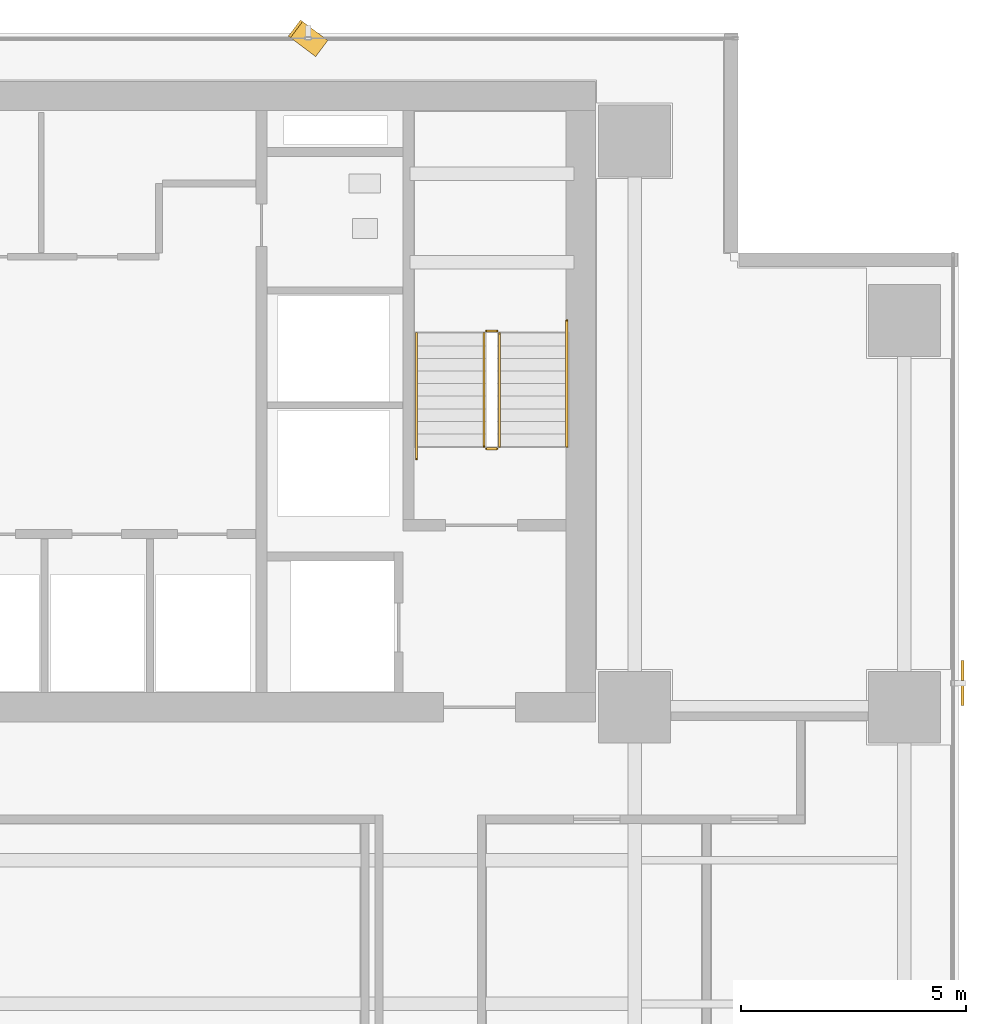
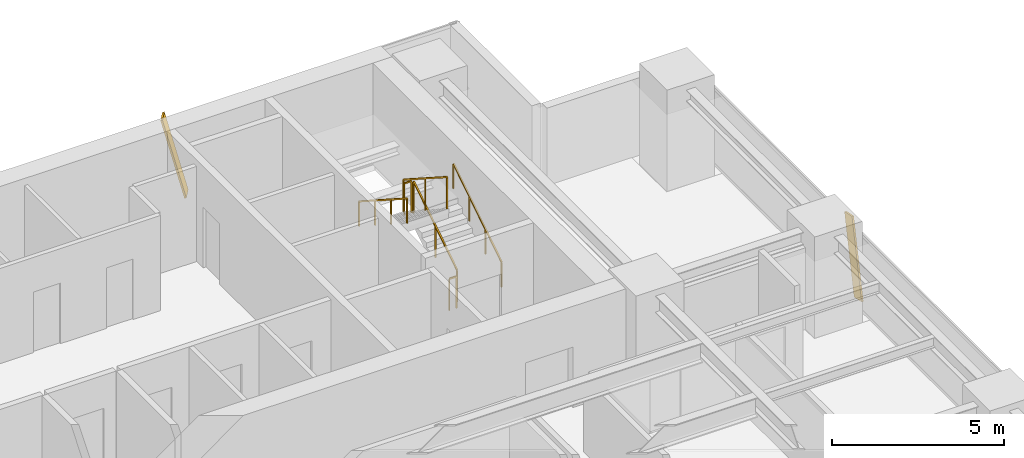
# One storey, part 27 of 28: 6 railings, 2 shading devices.
"""IFC4 building model written with IfcOpenShell, lengths in metres."""

import ifcopenshell
import ifcopenshell.guid

model = None  # the IFC model being written
_history = None  # IfcOwnerHistory: only IFC2X3 demands one
_inside = {}  # id of a spatial element -> (the spatial element, [elements in it])
_under = {}  # id of a project, library or spatial element -> (it, [spatial elements below it])
_declared = {}  # id of a project -> (the project, [libraries it declares])
_typed = {}  # id of a type object -> (the type object, [elements of that type])
_made_of = {}  # id of a material, layer set ... -> (it, [elements and type objects made of it])


def new_model(schema):
    """Start an empty IFC model of exactly this schema.

    Asked for "IFC4X3", IfcOpenShell would pick the latest addendum, in which some entities
    have other attributes; the version numbers below select the first issue.
    IFC2X3 requires an IfcOwnerHistory on every rooted entity: one is made here for all.
    """
    global model, _history
    if schema == "IFC4X3":
        model = ifcopenshell.file(schema_version=(4, 3, 0, 0))
    else:
        model = ifcopenshell.file(schema=schema)
    _inside.clear()
    _under.clear()
    _declared.clear()
    _typed.clear()
    _made_of.clear()
    _history = None
    if model.schema == "IFC2X3":
        org = make("IfcOrganization", Name="unknown")
        user = make(
            "IfcPersonAndOrganization",
            ThePerson=make("IfcPerson", FamilyName="unknown"),
            TheOrganization=org,
        )
        app = make(
            "IfcApplication",
            ApplicationDeveloper=org,
            Version="unknown",
            ApplicationFullName="unknown",
            ApplicationIdentifier="unknown",
        )
        _history = make(
            "IfcOwnerHistory",
            OwningUser=user,
            OwningApplication=app,
            ChangeAction="ADDED",
            CreationDate=0,
        )
    return model


def make(cls, **values):
    """One entity of the class cls with the attributes given. An attribute that is None is left unset."""
    return model.create_entity(
        cls, **{name: value for name, value in values.items() if value is not None}
    )


def rooted(cls, **values):
    """An entity with a GlobalId (a new one), such as an element, a storey or a relation."""
    return make(cls, GlobalId=ifcopenshell.guid.new(), OwnerHistory=_history, **values)


def si_unit(unit_type, name, prefix=None):
    """IfcSIUnit, for example si_unit("LENGTHUNIT", "METRE", prefix="MILLI")."""
    return make("IfcSIUnit", UnitType=unit_type, Prefix=prefix, Name=name)


def assignment(units):
    """IfcUnitAssignment: the units of a project."""
    return None if units is None else make("IfcUnitAssignment", Units=units)


def point(xyz):
    """IfcCartesianPoint."""
    return None if xyz is None else make("IfcCartesianPoint", Coordinates=xyz)


def direction(xyz):
    """IfcDirection."""
    return None if xyz is None else make("IfcDirection", DirectionRatios=xyz)


def frame(location, z_axis=None, x_axis=None):
    """IfcAxis2Placement3D, a coordinate frame: its origin and axes. An axis left out is left unset."""
    return make(
        "IfcAxis2Placement3D",
        Location=point(location),
        Axis=direction(z_axis),
        RefDirection=direction(x_axis),
    )


def frame_2d(location, x_axis=None):
    """IfcAxis2Placement2D, a coordinate frame in the plane: its origin and x axis."""
    return make(
        "IfcAxis2Placement2D", Location=point(location), RefDirection=direction(x_axis)
    )


def origin():
    """The frame at (0, 0, 0) with its axes left unset."""
    return frame((0.0, 0.0, 0.0))


def origin_2d():
    """The frame at (0, 0) in the plane with its x axis left unset."""
    return frame_2d((0.0, 0.0))


def place(relative_to, where):
    """IfcLocalPlacement: puts the frame where relative to a parent placement (None: the world)."""
    return make(
        "IfcLocalPlacement", PlacementRelTo=relative_to, RelativePlacement=where
    )


def context(
    kind, dimensions, precision=None, world=None, true_north=None, identifier=None
):
    """IfcGeometricRepresentationContext, for example the 3D "Model" context."""
    return make(
        "IfcGeometricRepresentationContext",
        ContextIdentifier=identifier,
        ContextType=kind,
        CoordinateSpaceDimension=dimensions,
        Precision=precision,
        WorldCoordinateSystem=world,
        TrueNorth=true_north,
    )


def subcontext(parent, identifier, kind, view, scale=None):
    """IfcGeometricRepresentationSubContext, for example "Body" below "Model"."""
    return make(
        "IfcGeometricRepresentationSubContext",
        ContextIdentifier=identifier,
        ContextType=kind,
        ParentContext=parent,
        TargetScale=scale,
        TargetView=view,
    )


def project(units=None, contexts=None):
    """IfcProject with its units and contexts."""
    return rooted(
        "IfcProject",
        Name="project",
        RepresentationContexts=contexts,
        UnitsInContext=assignment(units),
    )


def spatial(cls, under=None, at=None, **own):
    """A site, building, storey or space (cls), placed at a placement, below another one or the project."""
    s = rooted(cls, ObjectPlacement=at, **own)
    if under is not None:
        _under.setdefault(under.id(), (under, []))[1].append(s)
    return s


def profile(cls, at=None, kind="AREA", **sizes):
    """A parametric profile (cls). Its sizes go by their IFC names, for example OverallWidth=200.0."""
    return make(cls, ProfileType=kind, Position=at, **sizes)


def rectangle(**sizes):
    """IfcRectangleProfileDef."""
    return profile("IfcRectangleProfileDef", **sizes)


def extrude(swept, where, along, depth):
    """IfcExtrudedAreaSolid: the profile swept, set in the frame where, extruded along a direction by depth."""
    return make(
        "IfcExtrudedAreaSolid",
        SweptArea=swept,
        Position=where,
        ExtrudedDirection=direction(along),
        Depth=depth,
    )


def shape(context_of_items, identifier, shape_type, items):
    """IfcShapeRepresentation: the items that make up one representation, for example the "Body"."""
    return make(
        "IfcShapeRepresentation",
        ContextOfItems=context_of_items,
        RepresentationIdentifier=identifier,
        RepresentationType=shape_type,
        Items=items,
    )


def source(mapping_origin, context_of_items, identifier, shape_type, items):
    """IfcRepresentationMap: a shape defined once, which mapped items show again and again."""
    return make(
        "IfcRepresentationMap",
        MappingOrigin=mapping_origin,
        MappedRepresentation=shape(context_of_items, identifier, shape_type, items),
    )


def transform(
    local_origin,
    x_axis=None,
    y_axis=None,
    z_axis=None,
    scale=None,
    scale2=None,
    scale3=None,
    uniform=True,
):
    """IfcCartesianTransformationOperator3D, or its non-uniform kind. x_axis, y_axis, z_axis: its Axis1, 2, 3."""
    if uniform:
        return make(
            "IfcCartesianTransformationOperator3D",
            Axis1=direction(x_axis),
            Axis2=direction(y_axis),
            LocalOrigin=point(local_origin),
            Scale=scale,
            Axis3=direction(z_axis),
        )
    return make(
        "IfcCartesianTransformationOperator3DnonUniform",
        Axis1=direction(x_axis),
        Axis2=direction(y_axis),
        LocalOrigin=point(local_origin),
        Scale=scale,
        Axis3=direction(z_axis),
        Scale2=scale2,
        Scale3=scale3,
    )


def mapped(mapping_source, mapping_target):
    """IfcMappedItem: shows the shape of a source again, moved by a transform."""
    return make(
        "IfcMappedItem", MappingSource=mapping_source, MappingTarget=mapping_target
    )


def material(Name=None, Category=None):
    """IfcMaterial."""
    return make("IfcMaterial", Name=Name, Category=Category)


def material_profile(
    of_material, cross_section, Name=None, Category=None, Priority=None
):
    """IfcMaterialProfile: a cross section and its material."""
    return make(
        "IfcMaterialProfile",
        Name=Name,
        Material=of_material,
        Profile=cross_section,
        Priority=Priority,
        Category=Category,
    )


def profile_set(profiles, Name=None, composite=None):
    """IfcMaterialProfileSet."""
    return make(
        "IfcMaterialProfileSet",
        Name=Name,
        MaterialProfiles=profiles,
        CompositeProfile=composite,
    )


def made_of(thing, what):
    """Note that an element or type object is made of a material, layer set ...; save() writes the relation."""
    if what is not None:
        _made_of.setdefault(what.id(), (what, []))[1].append(thing)
    return thing


def type_object(cls, material=None, **own):
    """A type object (cls), such as IfcWallType, which elements share."""
    return made_of(rooted(cls, **own), material)


def element(
    cls,
    number,
    at=None,
    inside=None,
    cuts=None,
    type_object=None,
    material=None,
    context=None,
    identifier="Body",
    shape_type=None,
    held_by="IfcProductDefinitionShape",
    body=None,
    shapes=None,
    **own,
):
    """One element of the class cls, such as IfcWall. Its Tag is "e" and its number.

    at: its placement. inside: the storey or other place that contains it. cuts: it is an
    opening in that element (IfcRelVoidsElement). A single representation is given by context,
    identifier, shape_type and body (its items); several are given by shapes. held_by: the class
    of the entity that holds the representations. save() writes the other relations.
    """
    e = rooted(cls, Tag="e%d" % number, ObjectPlacement=at, **own)
    if body is not None:
        shapes = [shape(context, identifier, shape_type, body)]
    if shapes is not None:
        e.Representation = make(held_by, Representations=shapes)
    if inside is not None:
        _inside.setdefault(inside.id(), (inside, []))[1].append(e)
    if cuts is not None:
        rooted(
            "IfcRelVoidsElement", RelatingBuildingElement=cuts, RelatedOpeningElement=e
        )
    if type_object is not None:
        _typed.setdefault(type_object.id(), (type_object, []))[1].append(e)
    return made_of(e, material)


def aggregate(whole, parts):
    """IfcRelAggregates: a whole, such as a stair, and the parts it consists of."""
    return rooted("IfcRelAggregates", RelatingObject=whole, RelatedObjects=parts)


def save(model, path):
    """Write the relations noted so far, then the file.

    IfcRelAggregates (storeys below a building ...), IfcRelContainedInSpatialStructure (elements
    in a storey), IfcRelDefinesByType, IfcRelAssociatesMaterial and IfcRelDeclares: one each for
    every whole, place, type object, material and project.
    """
    for whole, parts in _under.values():
        aggregate(whole, parts)
    for where, things in _inside.values():
        rooted(
            "IfcRelContainedInSpatialStructure",
            RelatedElements=things,
            RelatingStructure=where,
        )
    for kind, things in _typed.values():
        rooted("IfcRelDefinesByType", RelatedObjects=things, RelatingType=kind)
    for what, things in _made_of.values():
        rooted("IfcRelAssociatesMaterial", RelatedObjects=things, RelatingMaterial=what)
    for by, libraries in _declared.values():
        rooted("IfcRelDeclares", RelatingContext=by, RelatedDefinitions=libraries)
    model.write(path)


model = new_model("IFC4")

# Units and contexts
model_context = context("Model", 3, precision=1e-05, world=origin(), true_north=direction((0.0, 1.0)))
body_context = subcontext(model_context, "Body", "Model", "MODEL_VIEW")
ifc_project = project(units=[si_unit("LENGTHUNIT", "METRE"), si_unit("AREAUNIT", "SQUARE_METRE"), si_unit("VOLUMEUNIT", "CUBIC_METRE"), si_unit("PLANEANGLEUNIT", "RADIAN"), si_unit("MASSUNIT", "GRAM", prefix="KILO")], contexts=[model_context])

# Site, building, storey
site_placement = place(None, origin())
site = spatial("IfcSite", under=ifc_project, at=site_placement, CompositionType="ELEMENT")
building_placement = place(site_placement, origin())
building = spatial("IfcBuilding", under=site, at=building_placement, Name="Sumidabori Civic Tower", CompositionType="ELEMENT")
storey_placement = place(building_placement, frame((0.0, 0.0, 167.60009765625)))
storey = spatial("IfcBuildingStorey", under=building, at=storey_placement, Name="L43", CompositionType="ELEMENT", Elevation=167.60009765625)

# Railings
ifc_material_1 = material(Name="Stainless Steel Hairline Finish", Category="steel")
railing_type_1 = type_object("IfcRailingType", Name="RL-HANDRAIL", PredefinedType="HANDRAIL", material=ifc_material_1)
railing_1_placement = place(storey_placement, frame((15.2900390625, 16.0, 0.179931640625)))
element("IfcRailing", 1, at=railing_1_placement, inside=storey, type_object=railing_type_1, Name="L43 ST-2 stair handrail 1", PredefinedType="HANDRAIL", context=body_context, shape_type="SweptSolid", body=[
    extrude(rectangle(XDim=0.048095703125, YDim=0.048095703125, at=origin_2d()), frame((0.0, 0.0, 0.8759765625), z_axis=(0.0, 0.840675598268, 0.541539046124), x_axis=(-1.0, 0.0, 0.0)), (0.0, 0.0, 1.0), 3.330810546875),
    extrude(rectangle(XDim=0.0419921875, YDim=0.0419921875, at=origin_2d()), origin(), (0.0, 0.0, 1.0), 0.851806640625),
    extrude(rectangle(XDim=0.0419921875, YDim=0.0419921875, at=origin_2d()), frame((0.0, 0.933349609375, 0.601318359375)), (0.0, 0.0, 1.0), 0.851806640625),
    extrude(rectangle(XDim=0.0419921875, YDim=0.0419921875, at=origin_2d()), frame((0.0, 1.86669921875, 1.202392578125)), (0.0, 0.0, 1.0), 0.851806640625),
    extrude(rectangle(XDim=0.0419921875, YDim=0.0419921875, at=origin_2d()), frame((0.0, 2.800048828125, 1.8037109375)), (0.0, 0.0, 1.0), 0.851806640625),
])
railing_2_placement = place(storey_placement, frame((11.949951171875, 18.52001953125, 1.97998046875)))
element("IfcRailing", 2, at=railing_2_placement, inside=storey, type_object=railing_type_1, Name="L43 ST-2 stair handrail 2", PredefinedType="HANDRAIL", context=body_context, shape_type="SweptSolid", body=[
    extrude(rectangle(XDim=0.048095703125, YDim=0.048095703125, at=origin_2d()), frame((0.0, 0.0, 0.8759765625), z_axis=(0.0, -0.840675598268, 0.541539046124), x_axis=(1.0, 0.0, 0.0)), (0.0, 0.0, 1.0), 3.330810546875),
    extrude(rectangle(XDim=0.0419921875, YDim=0.0419921875, at=origin_2d()), origin(), (0.0, 0.0, 1.0), 0.851806640625),
    extrude(rectangle(XDim=0.0419921875, YDim=0.0419921875, at=origin_2d()), frame((0.0, -0.933349609375, 0.601318359375)), (0.0, 0.0, 1.0), 0.851806640625),
    extrude(rectangle(XDim=0.0419921875, YDim=0.0419921875, at=origin_2d()), frame((0.0, -1.86669921875, 1.202392578125)), (0.0, 0.0, 1.0), 0.851806640625),
    extrude(rectangle(XDim=0.0419921875, YDim=0.0419921875, at=origin_2d()), frame((0.0, -2.800048828125, 1.8037109375)), (0.0, 0.0, 1.0), 0.851806640625),
])
ifc_material_2 = material(Name="Steel SN490", Category="steel")
railing_type_2 = type_object("IfcRailingType", Name="RL-STAIR-GUARD", PredefinedType="GUARDRAIL", material=ifc_material_2)
railing_3_placement = place(storey_placement, frame((13.7900390625, 16.0, 0.179931640625)))
element("IfcRailing", 3, at=railing_3_placement, inside=storey, type_object=railing_type_2, Name="L43 ST-2 stair guard 1", PredefinedType="GUARDRAIL", context=body_context, shape_type="SweptSolid", body=[
    extrude(rectangle(XDim=0.048095703125, YDim=0.048095703125, at=origin_2d()), frame((0.0, 0.0, 1.1259765625), z_axis=(0.0, 0.841199657755, 0.540724639528), x_axis=(-1.0, 0.0, 0.0)), (0.0, 0.0, 1.0), 2.995849609375),
    extrude(rectangle(XDim=0.0419921875, YDim=0.0419921875, at=origin_2d()), origin(), (0.0, 0.0, 1.0), 1.101806640625),
    extrude(rectangle(XDim=0.0419921875, YDim=0.0419921875, at=origin_2d()), frame((0.0, 1.260009765625, 0.81005859375)), (0.0, 0.0, 1.0), 1.101806640625),
    extrude(rectangle(XDim=0.0419921875, YDim=0.0419921875, at=origin_2d()), frame((0.0, 2.52001953125, 1.619873046875)), (0.0, 0.0, 1.0), 1.101806640625),
])
railing_4_placement = place(storey_placement, frame((13.739990234375, 18.570068359375, 1.7998046875)))
element("IfcRailing", 4, at=railing_4_placement, inside=storey, type_object=railing_type_2, Name="L43 ST-2 stair guard 2", PredefinedType="GUARDRAIL", context=body_context, shape_type="SweptSolid", body=[
    extrude(rectangle(XDim=0.048095703125, YDim=0.048095703125, at=origin_2d()), frame((0.0, 0.0, 1.1259765625), z_axis=(-1.0, 0.0, 0.0), x_axis=(0.0, -1.0, 0.0)), (0.0, 0.0, 1.0), 0.239990234375),
    extrude(rectangle(XDim=0.0419921875, YDim=0.0419921875, at=origin_2d()), origin(), (0.0, 0.0, 1.0), 1.101806640625),
    extrude(rectangle(XDim=0.0419921875, YDim=0.0419921875, at=origin_2d()), frame((-0.239990234375, 0.0, 0.0)), (0.0, 0.0, 1.0), 1.101806640625),
])
railing_5_placement = place(storey_placement, frame((13.449951171875, 18.52001953125, 1.97998046875)))
element("IfcRailing", 5, at=railing_5_placement, inside=storey, type_object=railing_type_2, Name="L43 ST-2 stair guard 3", PredefinedType="GUARDRAIL", context=body_context, shape_type="SweptSolid", body=[
    extrude(rectangle(XDim=0.048095703125, YDim=0.048095703125, at=origin_2d()), frame((0.0, 0.0, 1.1259765625), z_axis=(0.0, -0.841199657755, 0.540724639528), x_axis=(1.0, 0.0, 0.0)), (0.0, 0.0, 1.0), 2.995849609375),
    extrude(rectangle(XDim=0.0419921875, YDim=0.0419921875, at=origin_2d()), origin(), (0.0, 0.0, 1.0), 1.101806640625),
    extrude(rectangle(XDim=0.0419921875, YDim=0.0419921875, at=origin_2d()), frame((0.0, -1.260009765625, 0.81005859375)), (0.0, 0.0, 1.0), 1.101806640625),
    extrude(rectangle(XDim=0.0419921875, YDim=0.0419921875, at=origin_2d()), frame((0.0, -2.52001953125, 1.619873046875)), (0.0, 0.0, 1.0), 1.101806640625),
])
railing_6_placement = place(storey_placement, frame((13.739990234375, 15.949951171875, 0.0)))
element("IfcRailing", 6, at=railing_6_placement, inside=storey, type_object=railing_type_2, Name="L43 ST-2 stair guard 4", PredefinedType="GUARDRAIL", context=body_context, shape_type="SweptSolid", body=[
    extrude(rectangle(XDim=0.048095703125, YDim=0.048095703125, at=origin_2d()), frame((0.0, 0.0, 1.1259765625), z_axis=(-1.0, 0.0, 0.0), x_axis=(0.0, -1.0, 0.0)), (0.0, 0.0, 1.0), 0.239990234375),
    extrude(rectangle(XDim=0.0419921875, YDim=0.0419921875, at=origin_2d()), origin(), (0.0, 0.0, 1.0), 1.101806640625),
    extrude(rectangle(XDim=0.0419921875, YDim=0.0419921875, at=origin_2d()), frame((-0.239990234375, 0.0, 0.0)), (0.0, 0.0, 1.0), 1.101806640625),
])

# Shading devices
ifc_material_3 = material(Name="Anodised Bronze Aluminium AW-6063-T6", Category="aluminium")
ifc_material_profile = material_profile(ifc_material_3, rectangle(XDim=0.06005859375, YDim=0.449951171875, at=origin_2d()), Name="BRONZE FIN 450x60")
ifc_profile_set = profile_set([ifc_material_profile], Name="Anodised Bronze Aluminium AW-6063-T6")
shading_device_type = type_object("IfcShadingDeviceType", Name="SH-FIN-450", PredefinedType="USERDEFINED", material=ifc_profile_set)
shared_shape_1 = source(origin(), body_context, "Body", "SweptSolid", [
    extrude(rectangle(XDim=0.06005859375, YDim=0.449951171875, at=origin_2d()), origin(), (0.0, 0.0, 1.0), 2.789306640625),
])
shading_device_1_placement = place(storey_placement, frame((9.81494140625, 24.8701171875, 0.02001953125), z_axis=(-0.200794136335, 0.150551837182, 0.967995794998), x_axis=(0.774477654896, -0.580689436103, 0.250966413819)))
element("IfcShadingDevice", 7, at=shading_device_1_placement, inside=storey, type_object=shading_device_type, Name="Bronze Anodised Diagonal Fin L43-01", ObjectType="FIN", PredefinedType="USERDEFINED", context=body_context, shape_type="MappedRepresentation", body=[
    mapped(shared_shape_1, transform((0.0, 0.0, 0.0), x_axis=(1.0, 0.0, 0.0), y_axis=(0.0, 1.0, 0.0), z_axis=(0.0, 0.0, 1.0), scale=1.0)),
])
shared_shape_2 = source(origin(), body_context, "Body", "SweptSolid", [
    extrude(rectangle(XDim=0.06005859375, YDim=0.449951171875, at=origin_2d()), origin(), (0.0, 0.0, 1.0), 2.75732421875),
])
shading_device_2_placement = place(storey_placement, frame((24.090087890625, 10.455078125, 0.02001953125), z_axis=(0.0, 0.20302426177, 0.979173707333), x_axis=(-1.0, 0.0, 0.0)))
element("IfcShadingDevice", 8, at=shading_device_2_placement, inside=storey, type_object=shading_device_type, Name="Bronze Anodised Diagonal Fin L43-03", ObjectType="FIN", PredefinedType="USERDEFINED", context=body_context, shape_type="MappedRepresentation", body=[
    mapped(shared_shape_2, transform((0.0, 0.0, 0.0), x_axis=(1.0, 0.0, 0.0), y_axis=(0.0, 1.0, 0.0), z_axis=(0.0, 0.0, 1.0), scale=1.0)),
])

save(model, "model.ifc")
